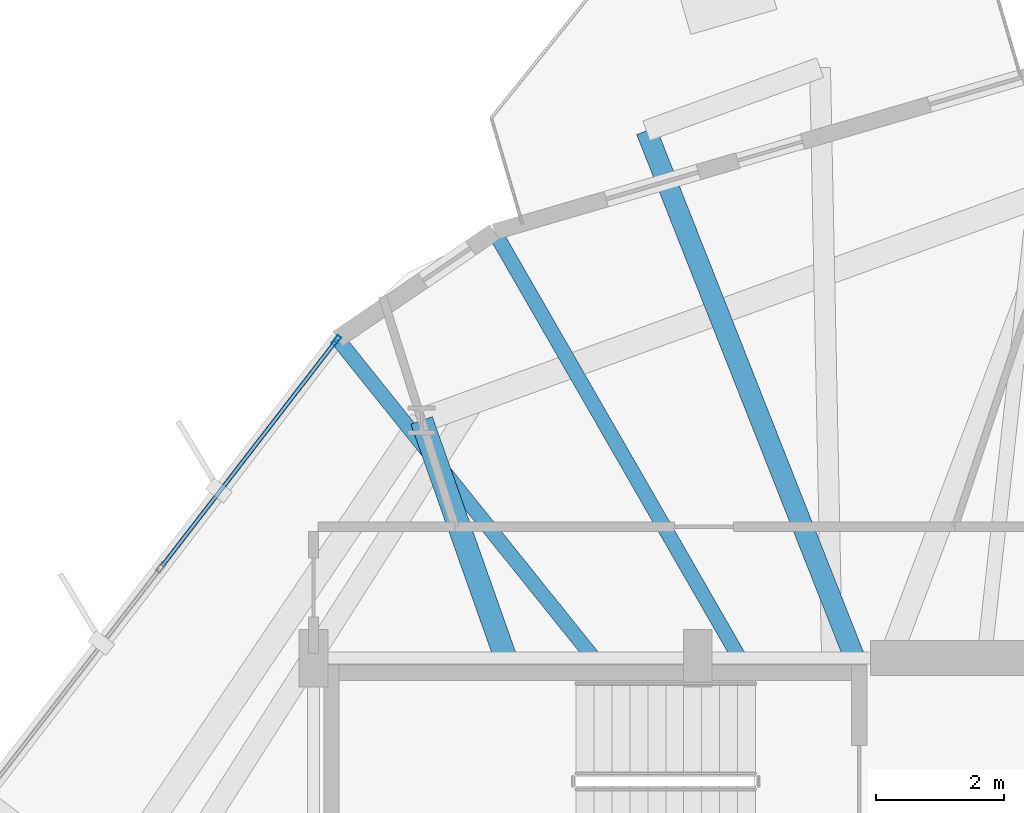
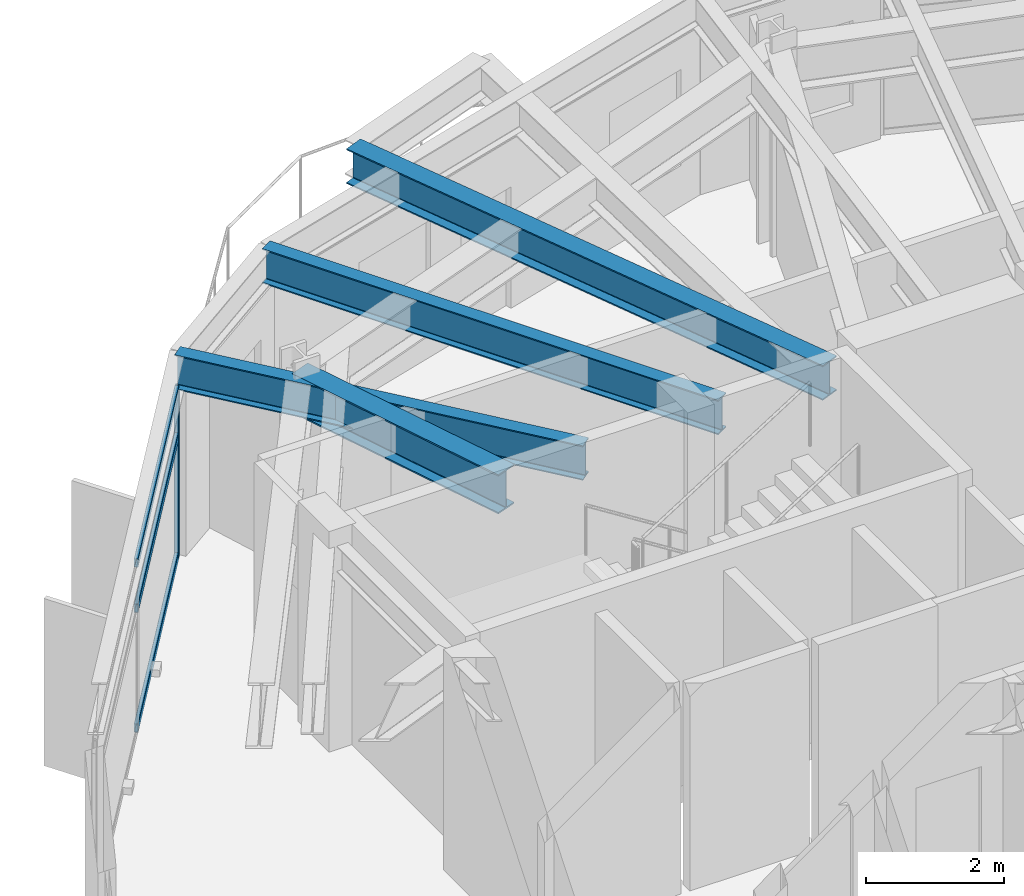
# One storey, part 14 of 24: 4 beams, 4 members, 1 element without a shape of its own.
"""IFC4 building model written with IfcOpenShell, lengths in metres."""

import ifcopenshell
import ifcopenshell.guid

model = None  # the IFC model being written
_history = None  # IfcOwnerHistory: only IFC2X3 demands one
_inside = {}  # id of a spatial element -> (the spatial element, [elements in it])
_under = {}  # id of a project, library or spatial element -> (it, [spatial elements below it])
_declared = {}  # id of a project -> (the project, [libraries it declares])
_typed = {}  # id of a type object -> (the type object, [elements of that type])
_made_of = {}  # id of a material, layer set ... -> (it, [elements and type objects made of it])


def new_model(schema):
    """Start an empty IFC model of exactly this schema.

    Asked for "IFC4X3", IfcOpenShell would pick the latest addendum, in which some entities
    have other attributes; the version numbers below select the first issue.
    IFC2X3 requires an IfcOwnerHistory on every rooted entity: one is made here for all.
    """
    global model, _history
    if schema == "IFC4X3":
        model = ifcopenshell.file(schema_version=(4, 3, 0, 0))
    else:
        model = ifcopenshell.file(schema=schema)
    _inside.clear()
    _under.clear()
    _declared.clear()
    _typed.clear()
    _made_of.clear()
    _history = None
    if model.schema == "IFC2X3":
        org = make("IfcOrganization", Name="unknown")
        user = make(
            "IfcPersonAndOrganization",
            ThePerson=make("IfcPerson", FamilyName="unknown"),
            TheOrganization=org,
        )
        app = make(
            "IfcApplication",
            ApplicationDeveloper=org,
            Version="unknown",
            ApplicationFullName="unknown",
            ApplicationIdentifier="unknown",
        )
        _history = make(
            "IfcOwnerHistory",
            OwningUser=user,
            OwningApplication=app,
            ChangeAction="ADDED",
            CreationDate=0,
        )
    return model


def make(cls, **values):
    """One entity of the class cls with the attributes given. An attribute that is None is left unset."""
    return model.create_entity(
        cls, **{name: value for name, value in values.items() if value is not None}
    )


def rooted(cls, **values):
    """An entity with a GlobalId (a new one), such as an element, a storey or a relation."""
    return make(cls, GlobalId=ifcopenshell.guid.new(), OwnerHistory=_history, **values)


def si_unit(unit_type, name, prefix=None):
    """IfcSIUnit, for example si_unit("LENGTHUNIT", "METRE", prefix="MILLI")."""
    return make("IfcSIUnit", UnitType=unit_type, Prefix=prefix, Name=name)


def assignment(units):
    """IfcUnitAssignment: the units of a project."""
    return None if units is None else make("IfcUnitAssignment", Units=units)


def point(xyz):
    """IfcCartesianPoint."""
    return None if xyz is None else make("IfcCartesianPoint", Coordinates=xyz)


def direction(xyz):
    """IfcDirection."""
    return None if xyz is None else make("IfcDirection", DirectionRatios=xyz)


def frame(location, z_axis=None, x_axis=None):
    """IfcAxis2Placement3D, a coordinate frame: its origin and axes. An axis left out is left unset."""
    return make(
        "IfcAxis2Placement3D",
        Location=point(location),
        Axis=direction(z_axis),
        RefDirection=direction(x_axis),
    )


def frame_2d(location, x_axis=None):
    """IfcAxis2Placement2D, a coordinate frame in the plane: its origin and x axis."""
    return make(
        "IfcAxis2Placement2D", Location=point(location), RefDirection=direction(x_axis)
    )


def origin():
    """The frame at (0, 0, 0) with its axes left unset."""
    return frame((0.0, 0.0, 0.0))


def origin_2d():
    """The frame at (0, 0) in the plane with its x axis left unset."""
    return frame_2d((0.0, 0.0))


def place(relative_to, where):
    """IfcLocalPlacement: puts the frame where relative to a parent placement (None: the world)."""
    return make(
        "IfcLocalPlacement", PlacementRelTo=relative_to, RelativePlacement=where
    )


def context(
    kind, dimensions, precision=None, world=None, true_north=None, identifier=None
):
    """IfcGeometricRepresentationContext, for example the 3D "Model" context."""
    return make(
        "IfcGeometricRepresentationContext",
        ContextIdentifier=identifier,
        ContextType=kind,
        CoordinateSpaceDimension=dimensions,
        Precision=precision,
        WorldCoordinateSystem=world,
        TrueNorth=true_north,
    )


def subcontext(parent, identifier, kind, view, scale=None):
    """IfcGeometricRepresentationSubContext, for example "Body" below "Model"."""
    return make(
        "IfcGeometricRepresentationSubContext",
        ContextIdentifier=identifier,
        ContextType=kind,
        ParentContext=parent,
        TargetScale=scale,
        TargetView=view,
    )


def project(units=None, contexts=None):
    """IfcProject with its units and contexts."""
    return rooted(
        "IfcProject",
        Name="project",
        RepresentationContexts=contexts,
        UnitsInContext=assignment(units),
    )


def spatial(cls, under=None, at=None, **own):
    """A site, building, storey or space (cls), placed at a placement, below another one or the project."""
    s = rooted(cls, ObjectPlacement=at, **own)
    if under is not None:
        _under.setdefault(under.id(), (under, []))[1].append(s)
    return s


def profile(cls, at=None, kind="AREA", **sizes):
    """A parametric profile (cls). Its sizes go by their IFC names, for example OverallWidth=200.0."""
    return make(cls, ProfileType=kind, Position=at, **sizes)


def hollow_rectangle(**sizes):
    """IfcRectangleHollowProfileDef."""
    return profile("IfcRectangleHollowProfileDef", **sizes)


def i_section(**sizes):
    """IfcIShapeProfileDef."""
    return profile("IfcIShapeProfileDef", **sizes)


def extrude(swept, where, along, depth):
    """IfcExtrudedAreaSolid: the profile swept, set in the frame where, extruded along a direction by depth."""
    return make(
        "IfcExtrudedAreaSolid",
        SweptArea=swept,
        Position=where,
        ExtrudedDirection=direction(along),
        Depth=depth,
    )


def shape(context_of_items, identifier, shape_type, items):
    """IfcShapeRepresentation: the items that make up one representation, for example the "Body"."""
    return make(
        "IfcShapeRepresentation",
        ContextOfItems=context_of_items,
        RepresentationIdentifier=identifier,
        RepresentationType=shape_type,
        Items=items,
    )


def material(Name=None, Category=None):
    """IfcMaterial."""
    return make("IfcMaterial", Name=Name, Category=Category)


def layer(
    of_material, thickness, ventilated=None, Name=None, Category=None, Priority=None
):
    """IfcMaterialLayer: one layer of a wall or slab, of a material (None: an air gap)."""
    return make(
        "IfcMaterialLayer",
        Material=of_material,
        LayerThickness=thickness,
        IsVentilated=ventilated,
        Name=Name,
        Category=Category,
        Priority=Priority,
    )


def layer_set(layers, Name=None):
    """IfcMaterialLayerSet."""
    return make("IfcMaterialLayerSet", MaterialLayers=layers, LayerSetName=Name)


def material_profile(
    of_material, cross_section, Name=None, Category=None, Priority=None
):
    """IfcMaterialProfile: a cross section and its material."""
    return make(
        "IfcMaterialProfile",
        Name=Name,
        Material=of_material,
        Profile=cross_section,
        Priority=Priority,
        Category=Category,
    )


def profile_set(profiles, Name=None, composite=None):
    """IfcMaterialProfileSet."""
    return make(
        "IfcMaterialProfileSet",
        Name=Name,
        MaterialProfiles=profiles,
        CompositeProfile=composite,
    )


def made_of(thing, what):
    """Note that an element or type object is made of a material, layer set ...; save() writes the relation."""
    if what is not None:
        _made_of.setdefault(what.id(), (what, []))[1].append(thing)
    return thing


def type_object(cls, material=None, **own):
    """A type object (cls), such as IfcWallType, which elements share."""
    return made_of(rooted(cls, **own), material)


def element(
    cls,
    number,
    at=None,
    inside=None,
    cuts=None,
    type_object=None,
    material=None,
    context=None,
    identifier="Body",
    shape_type=None,
    held_by="IfcProductDefinitionShape",
    body=None,
    shapes=None,
    **own,
):
    """One element of the class cls, such as IfcWall. Its Tag is "e" and its number.

    at: its placement. inside: the storey or other place that contains it. cuts: it is an
    opening in that element (IfcRelVoidsElement). A single representation is given by context,
    identifier, shape_type and body (its items); several are given by shapes. held_by: the class
    of the entity that holds the representations. save() writes the other relations.
    """
    e = rooted(cls, Tag="e%d" % number, ObjectPlacement=at, **own)
    if body is not None:
        shapes = [shape(context, identifier, shape_type, body)]
    if shapes is not None:
        e.Representation = make(held_by, Representations=shapes)
    if inside is not None:
        _inside.setdefault(inside.id(), (inside, []))[1].append(e)
    if cuts is not None:
        rooted(
            "IfcRelVoidsElement", RelatingBuildingElement=cuts, RelatedOpeningElement=e
        )
    if type_object is not None:
        _typed.setdefault(type_object.id(), (type_object, []))[1].append(e)
    return made_of(e, material)


def aggregate(whole, parts):
    """IfcRelAggregates: a whole, such as a stair, and the parts it consists of."""
    return rooted("IfcRelAggregates", RelatingObject=whole, RelatedObjects=parts)


def save(model, path):
    """Write the relations noted so far, then the file.

    IfcRelAggregates (storeys below a building ...), IfcRelContainedInSpatialStructure (elements
    in a storey), IfcRelDefinesByType, IfcRelAssociatesMaterial and IfcRelDeclares: one each for
    every whole, place, type object, material and project.
    """
    for whole, parts in _under.values():
        aggregate(whole, parts)
    for where, things in _inside.values():
        rooted(
            "IfcRelContainedInSpatialStructure",
            RelatedElements=things,
            RelatingStructure=where,
        )
    for kind, things in _typed.values():
        rooted("IfcRelDefinesByType", RelatedObjects=things, RelatingType=kind)
    for what, things in _made_of.values():
        rooted("IfcRelAssociatesMaterial", RelatedObjects=things, RelatingMaterial=what)
    for by, libraries in _declared.values():
        rooted("IfcRelDeclares", RelatingContext=by, RelatedDefinitions=libraries)
    model.write(path)


model = new_model("IFC4")

# Units and contexts
model_context = context("Model", 3, precision=1e-05, world=origin(), true_north=direction((0.0, 1.0)))
body_context = subcontext(model_context, "Body", "Model", "MODEL_VIEW")
ifc_project = project(units=[si_unit("LENGTHUNIT", "METRE"), si_unit("AREAUNIT", "SQUARE_METRE"), si_unit("VOLUMEUNIT", "CUBIC_METRE"), si_unit("PLANEANGLEUNIT", "RADIAN"), si_unit("MASSUNIT", "GRAM", prefix="KILO")], contexts=[model_context])

# Site, building, storey
site_placement = place(None, origin())
site = spatial("IfcSite", under=ifc_project, at=site_placement, CompositionType="ELEMENT")
building_placement = place(site_placement, origin())
building = spatial("IfcBuilding", under=site, at=building_placement, Name="Soratama Intermodal Tower", CompositionType="ELEMENT")
storey_placement = place(building_placement, frame((0.0, 0.0, 91.300048828125)))
storey = spatial("IfcBuildingStorey", under=building, at=storey_placement, Name="L21", CompositionType="ELEMENT", Elevation=91.300048828125)

# Beams
ifc_material_1 = material(Name="Structural steel ASTM A992 Grade 50", Category="steel")
ifc_material_profile_1 = material_profile(ifc_material_1, i_section(OverallWidth=0.324951171875, OverallDepth=0.615966796875, WebThickness=0.013916015625, FlangeThickness=0.021484375, FilletRadius=0.013916015625, at=origin_2d()), Name="W24X117")
ifc_profile_set_1 = profile_set([ifc_material_profile_1], Name="Structural steel ASTM A992 Grade 50")
beam_type_1 = type_object("IfcBeamType", Name="BM-CANT-W24X117", PredefinedType="BEAM", material=ifc_profile_set_1)
beam_1_placement = place(storey_placement, frame((41.034912109375, 35.037109375, 3.2919921875), z_axis=(-0.367422621163, 0.930054093834, 0.0), x_axis=(-0.930054093834, -0.367422621163, 0.0)))
element("IfcBeam", 1, at=beam_1_placement, inside=storey, type_object=beam_type_1, Name="BM-L21-CANT-2-2", PredefinedType="BEAM", context=body_context, shape_type="SweptSolid", body=[
    extrude(i_section(OverallWidth=0.324951171875, OverallDepth=0.615966796875, WebThickness=0.013916015625, FlangeThickness=0.021484375, FilletRadius=0.013916015625, at=origin_2d()), origin(), (0.0, 0.0, 1.0), 8.812255859375),
])
ifc_material_2 = material(Name="Structural steel ASTM A992 Grade 50", Category="steel")
ifc_material_profile_2 = material_profile(ifc_material_2, i_section(OverallWidth=0.35498046875, OverallDepth=0.695068359375, WebThickness=0.015380859375, FlangeThickness=0.02490234375, FilletRadius=0.01611328125, at=origin_2d()), Name="W27X146")
ifc_profile_set_2 = profile_set([ifc_material_profile_2], Name="Structural steel ASTM A992 Grade 50")
beam_type_2 = type_object("IfcBeamType", Name="BM-RING-W27X146", PredefinedType="BEAM", material=ifc_profile_set_2)
beam_2_placement = place(storey_placement, frame((35.60009765625, 35.0, 3.25244140625), z_axis=(-0.333332697239, 0.942809266475, 0.0), x_axis=(-0.942809266475, -0.333332697239, 0.0)))
element("IfcBeam", 2, at=beam_2_placement, inside=storey, type_object=beam_type_2, Name="BM-L21-RAD-04", PredefinedType="BEAM", context=body_context, shape_type="SweptSolid", body=[
    extrude(i_section(OverallWidth=0.35498046875, OverallDepth=0.695068359375, WebThickness=0.015380859375, FlangeThickness=0.02490234375, FilletRadius=0.01611328125, at=origin_2d()), origin(), (0.0, 0.0, 1.0), 3.93603515625),
])
ifc_material_3 = material(Name="Structural steel ASTM A992 Grade 50", Category="steel")
ifc_material_profile_3 = material_profile(ifc_material_3, i_section(OverallWidth=0.22900390625, OverallDepth=0.612060546875, WebThickness=0.011962890625, FlangeThickness=0.01953125, FilletRadius=0.012939453125, at=origin_2d()), Name="W24X84")
ifc_profile_set_3 = profile_set([ifc_material_profile_3], Name="Structural steel ASTM A992 Grade 50")
beam_type_3 = type_object("IfcBeamType", Name="BM-TIE-W24X84", PredefinedType="BEAM", material=ifc_profile_set_3)
beam_3_placement = place(storey_placement, frame((39.23193359375, 35.034912109375, 3.2939453125), z_axis=(-0.498447100709, 0.866920116156, 0.0), x_axis=(-0.866920116156, -0.498447100709, 0.0)))
element("IfcBeam", 3, at=beam_3_placement, inside=storey, type_object=beam_type_3, Name="BM-L21-TIE1-03", PredefinedType="BEAM", context=body_context, shape_type="SweptSolid", body=[
    extrude(i_section(OverallWidth=0.22900390625, OverallDepth=0.612060546875, WebThickness=0.011962890625, FlangeThickness=0.01953125, FilletRadius=0.012939453125, at=origin_2d()), origin(), (0.0, 0.0, 1.0), 7.637451171875),
])
beam_4_placement = place(storey_placement, frame((36.949951171875, 35.031005859375, 3.2939453125), z_axis=(-0.625974250132, 0.779843726763, 0.0), x_axis=(-0.779843726763, -0.625974250132, 0.0)))
element("IfcBeam", 4, at=beam_4_placement, inside=storey, type_object=beam_type_3, Name="BM-L21-TIE0-04", PredefinedType="BEAM", context=body_context, shape_type="SweptSolid", body=[
    extrude(i_section(OverallWidth=0.22900390625, OverallDepth=0.612060546875, WebThickness=0.011962890625, FlangeThickness=0.01953125, FilletRadius=0.012939453125, at=origin_2d()), origin(), (0.0, 0.0, 1.0), 6.349853515625),
])

# Curtain wall, members
ifc_material_4 = material(Name="Double-glazed aluminium curtain wall", Category="aluminium")
ifc_layer = layer(ifc_material_4, 0.159912109375)
ifc_layer_set = layer_set([ifc_layer], Name="Double-glazed aluminium curtain wall")
curtain_wall_type = type_object("IfcCurtainWallType", Name="CW-SYS-3", PredefinedType="NOTDEFINED", material=ifc_layer_set)
curtain_wall_placement = place(storey_placement, origin())
curtain_wall = element("IfcCurtainWall", 5, at=curtain_wall_placement, inside=storey, type_object=curtain_wall_type, Name="L21 Faceted Curtain Wall F04", PredefinedType="NOTDEFINED")
ifc_material_5 = material(Name="Anodised aluminium AA 6063-T6", Category="aluminium")
ifc_material_profile_4 = material_profile(ifc_material_5, hollow_rectangle(XDim=0.070068359375, YDim=0.159912109375, WallThickness=0.0048828125, InnerFilletRadius=0.0048828125, OuterFilletRadius=0.010009765625, at=origin_2d()), Name="CWM160X70X5")
ifc_profile_set_4 = profile_set([ifc_material_profile_4], Name="Anodised aluminium AA 6063-T6")
member_type_1 = type_object("IfcMemberType", Name="MT-CWM-3", PredefinedType="MULLION", material=ifc_profile_set_4)
member_1_placement = place(storey_placement, frame((32.95703125, 39.959716796875, 0.0), z_axis=(0.0, 0.0, 1.0), x_axis=(0.79143717295, -0.611250522513, 0.0)))
member_1 = element("IfcMember", 6, at=member_1_placement, type_object=member_type_1, Name="CW-3 mullion 1", PredefinedType="MULLION", context=body_context, shape_type="SweptSolid", body=[
    extrude(hollow_rectangle(XDim=0.070068359375, YDim=0.159912109375, WallThickness=0.0048828125, InnerFilletRadius=0.0048828125, OuterFilletRadius=0.010009765625, at=origin_2d()), origin(), (0.0, 0.0, 1.0), 2.97900390625),
])
ifc_material_6 = material(Name="Anodised aluminium AA 6063-T6", Category="aluminium")
ifc_material_profile_5 = material_profile(ifc_material_6, hollow_rectangle(XDim=0.06494140625, YDim=0.14990234375, WallThickness=0.0048828125, InnerFilletRadius=0.0048828125, OuterFilletRadius=0.010009765625, at=origin_2d()), Name="CWT150X65X5")
ifc_profile_set_5 = profile_set([ifc_material_profile_5], Name="Anodised aluminium AA 6063-T6")
member_type_2 = type_object("IfcMemberType", Name="TT-CWT-1", PredefinedType="USERDEFINED", material=ifc_profile_set_5)
member_2_placement = place(storey_placement, frame((32.938720703125, 39.93603515625, 0.030029296875), z_axis=(-0.611282367093, -0.791412577409, 0.0), x_axis=(0.791412577409, -0.611282367093, 0.0)))
member_2 = element("IfcMember", 7, at=member_2_placement, type_object=member_type_2, Name="CW-3 transom 1.1", ObjectType="TRANSOM", PredefinedType="USERDEFINED", context=body_context, shape_type="SweptSolid", body=[
    extrude(hollow_rectangle(XDim=0.06494140625, YDim=0.14990234375, WallThickness=0.0048828125, InnerFilletRadius=0.0048828125, OuterFilletRadius=0.010009765625, at=origin_2d()), origin(), (0.0, 0.0, 1.0), 4.41845703125),
])
member_3_placement = place(storey_placement, frame((32.938720703125, 39.93603515625, 2.14990234375), z_axis=(-0.611282367093, -0.791412577409, 0.0), x_axis=(0.791412577409, -0.611282367093, 0.0)))
member_3 = element("IfcMember", 8, at=member_3_placement, type_object=member_type_2, Name="CW-3 transom 1.2", ObjectType="TRANSOM", PredefinedType="USERDEFINED", context=body_context, shape_type="SweptSolid", body=[
    extrude(hollow_rectangle(XDim=0.06494140625, YDim=0.14990234375, WallThickness=0.0048828125, InnerFilletRadius=0.0048828125, OuterFilletRadius=0.010009765625, at=origin_2d()), origin(), (0.0, 0.0, 1.0), 4.41845703125),
])
member_4_placement = place(storey_placement, frame((32.938720703125, 39.93603515625, 2.948974609375), z_axis=(-0.611282367093, -0.791412577409, 0.0), x_axis=(0.791412577409, -0.611282367093, 0.0)))
member_4 = element("IfcMember", 9, at=member_4_placement, type_object=member_type_2, Name="CW-3 transom 1.3", ObjectType="TRANSOM", PredefinedType="USERDEFINED", context=body_context, shape_type="SweptSolid", body=[
    extrude(hollow_rectangle(XDim=0.06494140625, YDim=0.14990234375, WallThickness=0.0048828125, InnerFilletRadius=0.0048828125, OuterFilletRadius=0.010009765625, at=origin_2d()), origin(), (0.0, 0.0, 1.0), 4.41845703125),
])
aggregate(curtain_wall, [member_1, member_2, member_3, member_4])

save(model, "model.ifc")
